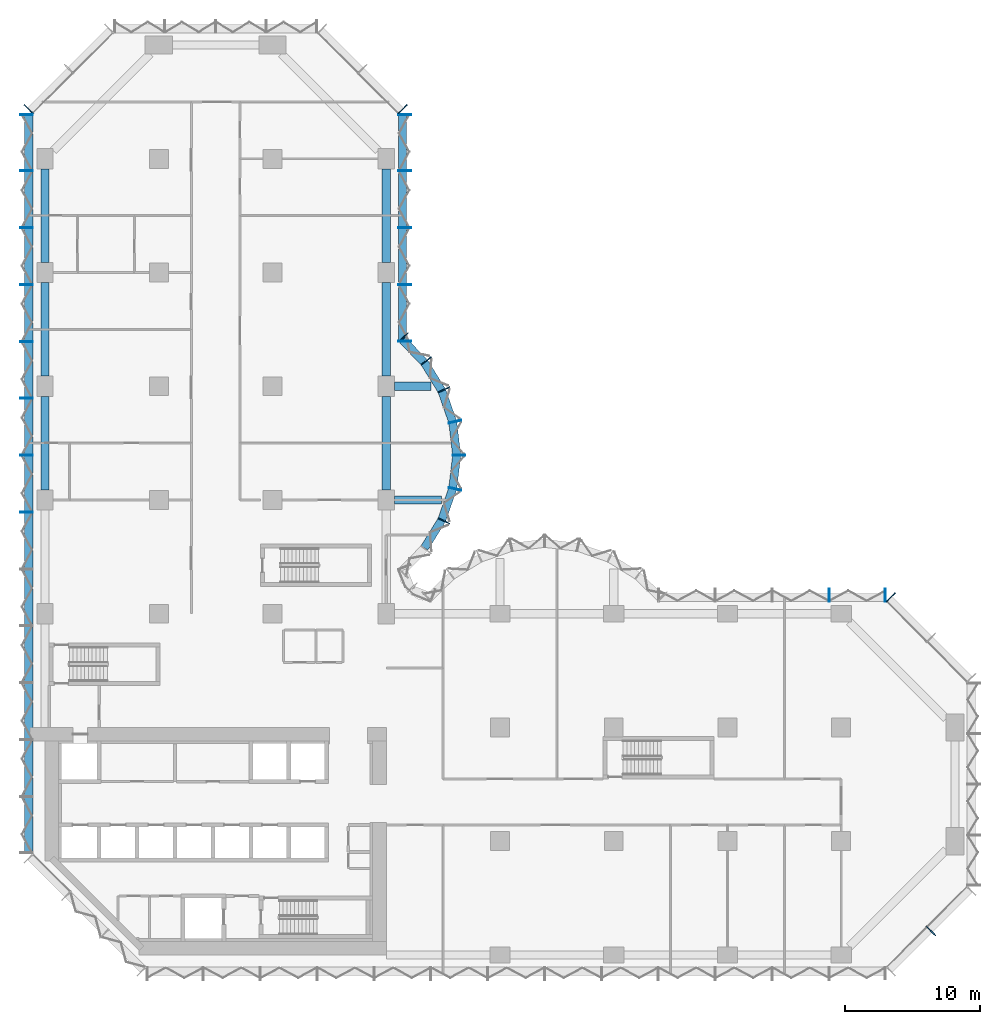
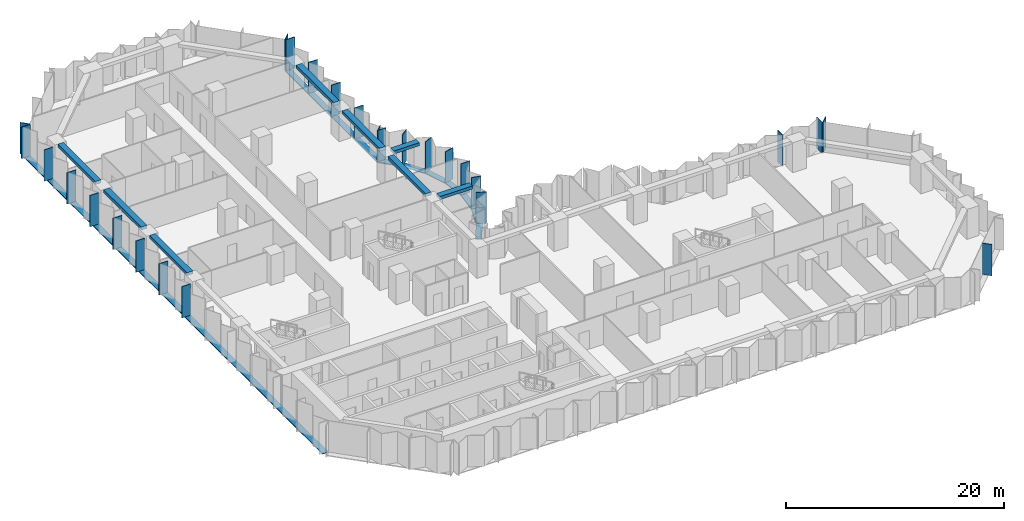
# One storey, part 3 of 15: 35 members, 8 beams, 8 elements without a shape of their own.
"""IFC4 building model written with IfcOpenShell, lengths in metres."""

from ifc_helpers import new_model, si_unit, direction, frame, origin, origin_2d, place, context, subcontext, project, spatial, rectangle, extrude, material, material_profile, profile_set, type_object, element, aggregate, save


model = new_model("IFC4")

# Units and contexts
model_context = context("Model", 3, precision=1e-05, world=origin(), true_north=direction((0.0, 1.0)))
body_context = subcontext(model_context, "Body", "Model", "MODEL_VIEW")
ifc_project = project(units=[si_unit("LENGTHUNIT", "METRE"), si_unit("AREAUNIT", "SQUARE_METRE"), si_unit("VOLUMEUNIT", "CUBIC_METRE"), si_unit("PLANEANGLEUNIT", "RADIAN"), si_unit("MASSUNIT", "GRAM", prefix="KILO")], contexts=[model_context])

# Site, building, storey
site_placement = place(None, origin())
site = spatial("IfcSite", under=ifc_project, at=site_placement, CompositionType="ELEMENT")
building_placement = place(site_placement, origin())
building = spatial("IfcBuilding", under=site, at=building_placement, Name="Brevane Broadcast Tower", CompositionType="ELEMENT")
storey_placement = place(building_placement, frame((0.0, 0.0, 79.699951171875)))
storey = spatial("IfcBuildingStorey", under=building, at=storey_placement, Name="L18", CompositionType="ELEMENT", Elevation=79.699951171875)

# Curtain wall, member
ifc_material_1 = material(Name="Aluminium 6063-T6 bronze anodised", Category="aluminium")
curtain_wall_type = type_object("IfcCurtainWallType", Name="CW-1 curtain wall", PredefinedType="NOTDEFINED", material=ifc_material_1)
curtain_wall_1_placement = place(storey_placement, origin())
curtain_wall_1 = element("IfcCurtainWall", 1, at=curtain_wall_1_placement, inside=storey, type_object=curtain_wall_type, Name="CW-1 typical tilted unit L18 south-east chamfer", PredefinedType="NOTDEFINED")
ifc_material_profile_1 = material_profile(ifc_material_1, rectangle(XDim=0.949951171875, YDim=0.070068359375, at=origin_2d()), Name="RECT 70x950")
ifc_profile_set_1 = profile_set([ifc_material_profile_1], Name="Aluminium 6063-T6 bronze anodised")
member_type_1 = type_object("IfcMemberType", Name="CW-1 mullion 70x950", PredefinedType="MULLION", material=ifc_profile_set_1)
member_1_placement = place(storey_placement, frame((65.435791015625, 1.76416015625, -0.14990234375), z_axis=(0.0, 0.0, 1.0), x_axis=(-0.707106781187, 0.707106781187, 0.0)))
member_1 = element("IfcMember", 2, at=member_1_placement, type_object=member_type_1, Name="CW-1 mullion", PredefinedType="MULLION", context=body_context, shape_type="SweptSolid", body=[
    extrude(rectangle(XDim=0.949951171875, YDim=0.070068359375, at=origin_2d()), origin(), (0.0, 0.0, 1.0), 3.5),
])
aggregate(curtain_wall_1, [member_1])

curtain_wall_2_placement = place(storey_placement, origin())
curtain_wall_2 = element("IfcCurtainWall", 3, at=curtain_wall_2_placement, inside=storey, type_object=curtain_wall_type, Name="CW-1 typical tilted unit L18 north-east chamfer", PredefinedType="NOTDEFINED")
member_2_placement = place(storey_placement, frame((62.460693359375, 26.4111328125, -0.14990234375), z_axis=(0.0, 0.0, 1.0), x_axis=(-0.707106781187, -0.707106781187, 0.0)))
member_2 = element("IfcMember", 4, at=member_2_placement, type_object=member_type_1, Name="CW-1 mullion", PredefinedType="MULLION", context=body_context, shape_type="SweptSolid", body=[
    extrude(rectangle(XDim=0.949951171875, YDim=0.070068359375, at=origin_2d()), origin(), (0.0, 0.0, 1.0), 3.5),
])
aggregate(curtain_wall_2, [member_2])

# Curtain wall, members
curtain_wall_3_placement = place(storey_placement, origin())
curtain_wall_3 = element("IfcCurtainWall", 5, at=curtain_wall_3_placement, inside=storey, type_object=curtain_wall_type, Name="CW-1 typical tilted unit L18 east arm north face", PredefinedType="NOTDEFINED")
member_3_placement = place(storey_placement, frame((62.06494140625, 26.574951171875, -0.14990234375), z_axis=(0.0, 0.0, 1.0), x_axis=(0.0, -1.0, 0.0)))
member_3 = element("IfcMember", 6, at=member_3_placement, type_object=member_type_1, Name="CW-1 mullion", PredefinedType="MULLION", context=body_context, shape_type="SweptSolid", body=[
    extrude(rectangle(XDim=0.949951171875, YDim=0.070068359375, at=origin_2d()), origin(), (0.0, 0.0, 1.0), 3.5),
])
member_4_placement = place(storey_placement, frame((57.89990234375, 26.574951171875, -0.14990234375), z_axis=(0.0, 0.0, 1.0), x_axis=(0.0, -1.0, 0.0)))
member_4 = element("IfcMember", 7, at=member_4_placement, type_object=member_type_1, Name="CW-1 mullion", PredefinedType="MULLION", context=body_context, shape_type="SweptSolid", body=[
    extrude(rectangle(XDim=0.949951171875, YDim=0.070068359375, at=origin_2d()), origin(), (0.0, 0.0, 1.0), 3.5),
])
aggregate(curtain_wall_3, [member_3, member_4])

curtain_wall_4_placement = place(storey_placement, origin())
curtain_wall_4 = element("IfcCurtainWall", 8, at=curtain_wall_4_placement, inside=storey, type_object=curtain_wall_type, Name="CW-1 typical tilted unit L18 north bow", PredefinedType="NOTDEFINED")
member_5_placement = place(storey_placement, frame((29.4580078125, 32.05322265625, -0.14990234375), z_axis=(0.0, 0.0, 1.0), x_axis=(-0.902860508933, 0.429933601163, 0.0)))
member_5 = element("IfcMember", 9, at=member_5_placement, type_object=member_type_1, Name="CW-1 mullion", PredefinedType="MULLION", context=body_context, shape_type="SweptSolid", body=[
    extrude(rectangle(XDim=0.949951171875, YDim=0.070068359375, at=origin_2d()), origin(), (0.0, 0.0, 1.0), 3.5),
])
member_6_placement = place(storey_placement, frame((30.28076171875, 34.411865234375, -0.14990234375), z_axis=(0.0, 0.0, 1.0), x_axis=(-0.974403430594, 0.224806482215, 0.0)))
member_6 = element("IfcMember", 10, at=member_6_placement, type_object=member_type_1, Name="CW-1 mullion", PredefinedType="MULLION", context=body_context, shape_type="SweptSolid", body=[
    extrude(rectangle(XDim=0.949951171875, YDim=0.070068359375, at=origin_2d()), origin(), (0.0, 0.0, 1.0), 3.5),
])
member_7_placement = place(storey_placement, frame((30.574951171875, 36.89990234375, -0.14990234375), z_axis=(0.0, 0.0, 1.0), x_axis=(-1.0, 0.0, 0.0)))
member_7 = element("IfcMember", 11, at=member_7_placement, type_object=member_type_1, Name="CW-1 mullion", PredefinedType="MULLION", context=body_context, shape_type="SweptSolid", body=[
    extrude(rectangle(XDim=0.949951171875, YDim=0.070068359375, at=origin_2d()), origin(), (0.0, 0.0, 1.0), 3.5),
])
member_8_placement = place(storey_placement, frame((30.28076171875, 39.38818359375, -0.14990234375), z_axis=(0.0, 0.0, 1.0), x_axis=(-0.974403430594, -0.224806482215, 0.0)))
member_8 = element("IfcMember", 12, at=member_8_placement, type_object=member_type_1, Name="CW-1 mullion", PredefinedType="MULLION", context=body_context, shape_type="SweptSolid", body=[
    extrude(rectangle(XDim=0.949951171875, YDim=0.070068359375, at=origin_2d()), origin(), (0.0, 0.0, 1.0), 3.5),
])
member_9_placement = place(storey_placement, frame((29.4580078125, 41.746826171875, -0.14990234375), z_axis=(0.0, 0.0, 1.0), x_axis=(-0.902860508933, -0.429933601163, 0.0)))
member_9 = element("IfcMember", 13, at=member_9_placement, type_object=member_type_1, Name="CW-1 mullion", PredefinedType="MULLION", context=body_context, shape_type="SweptSolid", body=[
    extrude(rectangle(XDim=0.949951171875, YDim=0.070068359375, at=origin_2d()), origin(), (0.0, 0.0, 1.0), 3.5),
])
member_10_placement = place(storey_placement, frame((28.1455078125, 43.8720703125, -0.14990234375), z_axis=(0.0, 0.0, 1.0), x_axis=(-0.788706642853, -0.614769738617, 0.0)))
member_10 = element("IfcMember", 14, at=member_10_placement, type_object=member_type_1, Name="CW-1 mullion", PredefinedType="MULLION", context=body_context, shape_type="SweptSolid", body=[
    extrude(rectangle(XDim=0.949951171875, YDim=0.070068359375, at=origin_2d()), origin(), (0.0, 0.0, 1.0), 3.5),
])
member_11_placement = place(storey_placement, frame((26.465087890625, 45.60595703125, -0.14990234375), z_axis=(0.0, 0.0, 1.0), x_axis=(-0.717253872699, -0.696811941702, 0.0)))
member_11 = element("IfcMember", 15, at=member_11_placement, type_object=member_type_1, Name="CW-1 mullion", PredefinedType="MULLION", context=body_context, shape_type="SweptSolid", body=[
    extrude(rectangle(XDim=0.949951171875, YDim=0.070068359375, at=origin_2d()), origin(), (0.0, 0.0, 1.0), 3.5),
])

curtain_wall_5_placement = place(storey_placement, origin())
curtain_wall_5 = element("IfcCurtainWall", 16, at=curtain_wall_5_placement, inside=storey, type_object=curtain_wall_type, Name="CW-1 typical tilted unit L18 north arm east face", PredefinedType="NOTDEFINED")
member_12_placement = place(storey_placement, frame((26.574951171875, 45.3349609375, -0.14990234375), z_axis=(0.0, 0.0, 1.0), x_axis=(-1.0, 0.0, 0.0)))
member_12 = element("IfcMember", 17, at=member_12_placement, type_object=member_type_1, Name="CW-1 mullion", PredefinedType="MULLION", context=body_context, shape_type="SweptSolid", body=[
    extrude(rectangle(XDim=0.949951171875, YDim=0.070068359375, at=origin_2d()), origin(), (0.0, 0.0, 1.0), 3.5),
])
member_13_placement = place(storey_placement, frame((26.574951171875, 49.5, -0.14990234375), z_axis=(0.0, 0.0, 1.0), x_axis=(-1.0, 0.0, 0.0)))
member_13 = element("IfcMember", 18, at=member_13_placement, type_object=member_type_1, Name="CW-1 mullion", PredefinedType="MULLION", context=body_context, shape_type="SweptSolid", body=[
    extrude(rectangle(XDim=0.949951171875, YDim=0.070068359375, at=origin_2d()), origin(), (0.0, 0.0, 1.0), 3.5),
])
member_14_placement = place(storey_placement, frame((26.574951171875, 53.699951171875, -0.14990234375), z_axis=(0.0, 0.0, 1.0), x_axis=(-1.0, 0.0, 0.0)))
member_14 = element("IfcMember", 19, at=member_14_placement, type_object=member_type_1, Name="CW-1 mullion", PredefinedType="MULLION", context=body_context, shape_type="SweptSolid", body=[
    extrude(rectangle(XDim=0.949951171875, YDim=0.070068359375, at=origin_2d()), origin(), (0.0, 0.0, 1.0), 3.5),
])
member_15_placement = place(storey_placement, frame((26.574951171875, 57.89990234375, -0.14990234375), z_axis=(0.0, 0.0, 1.0), x_axis=(-1.0, 0.0, 0.0)))
member_15 = element("IfcMember", 20, at=member_15_placement, type_object=member_type_1, Name="CW-1 mullion", PredefinedType="MULLION", context=body_context, shape_type="SweptSolid", body=[
    extrude(rectangle(XDim=0.949951171875, YDim=0.070068359375, at=origin_2d()), origin(), (0.0, 0.0, 1.0), 3.5),
])
member_16_placement = place(storey_placement, frame((26.574951171875, 62.06494140625, -0.14990234375), z_axis=(0.0, 0.0, 1.0), x_axis=(-1.0, 0.0, 0.0)))
member_16 = element("IfcMember", 21, at=member_16_placement, type_object=member_type_1, Name="CW-1 mullion", PredefinedType="MULLION", context=body_context, shape_type="SweptSolid", body=[
    extrude(rectangle(XDim=0.949951171875, YDim=0.070068359375, at=origin_2d()), origin(), (0.0, 0.0, 1.0), 3.5),
])

# Curtain wall, member
curtain_wall_6_placement = place(storey_placement, origin())
curtain_wall_6 = element("IfcCurtainWall", 22, at=curtain_wall_6_placement, inside=storey, type_object=curtain_wall_type, Name="CW-1 typical tilted unit L18 north arm north-east chamfer", PredefinedType="NOTDEFINED")
member_17_placement = place(storey_placement, frame((26.4111328125, 62.460693359375, -0.14990234375), z_axis=(0.0, 0.0, 1.0), x_axis=(-0.707106781187, -0.707106781187, 0.0)))
member_17 = element("IfcMember", 23, at=member_17_placement, type_object=member_type_1, Name="CW-1 mullion", PredefinedType="MULLION", context=body_context, shape_type="SweptSolid", body=[
    extrude(rectangle(XDim=0.949951171875, YDim=0.070068359375, at=origin_2d()), origin(), (0.0, 0.0, 1.0), 3.5),
])
aggregate(curtain_wall_6, [member_17])

curtain_wall_7_placement = place(storey_placement, origin())
curtain_wall_7 = element("IfcCurtainWall", 24, at=curtain_wall_7_placement, inside=storey, type_object=curtain_wall_type, Name="CW-1 typical tilted unit L18 north-west chamfer", PredefinedType="NOTDEFINED")
member_18_placement = place(storey_placement, frame((-1.211181640625, 62.460693359375, -0.14990234375), z_axis=(0.0, 0.0, 1.0), x_axis=(0.707106781187, -0.707106781187, 0.0)))
member_18 = element("IfcMember", 25, at=member_18_placement, type_object=member_type_1, Name="CW-1 mullion", PredefinedType="MULLION", context=body_context, shape_type="SweptSolid", body=[
    extrude(rectangle(XDim=0.949951171875, YDim=0.070068359375, at=origin_2d()), origin(), (0.0, 0.0, 1.0), 3.5),
])
aggregate(curtain_wall_7, [member_18])

# Curtain wall, members
curtain_wall_8_placement = place(storey_placement, origin())
curtain_wall_8 = element("IfcCurtainWall", 26, at=curtain_wall_8_placement, inside=storey, type_object=curtain_wall_type, Name="CW-1 typical tilted unit L18 west face", PredefinedType="NOTDEFINED")
member_19_placement = place(storey_placement, frame((-1.375, 62.06494140625, -0.14990234375), z_axis=(0.0, 0.0, 1.0), x_axis=(1.0, 0.0, 0.0)))
member_19 = element("IfcMember", 27, at=member_19_placement, type_object=member_type_1, Name="CW-1 mullion", PredefinedType="MULLION", context=body_context, shape_type="SweptSolid", body=[
    extrude(rectangle(XDim=0.949951171875, YDim=0.070068359375, at=origin_2d()), origin(), (0.0, 0.0, 1.0), 3.5),
])
member_20_placement = place(storey_placement, frame((-1.375, 57.89990234375, -0.14990234375), z_axis=(0.0, 0.0, 1.0), x_axis=(1.0, 0.0, 0.0)))
member_20 = element("IfcMember", 28, at=member_20_placement, type_object=member_type_1, Name="CW-1 mullion", PredefinedType="MULLION", context=body_context, shape_type="SweptSolid", body=[
    extrude(rectangle(XDim=0.949951171875, YDim=0.070068359375, at=origin_2d()), origin(), (0.0, 0.0, 1.0), 3.5),
])
member_21_placement = place(storey_placement, frame((-1.375, 53.699951171875, -0.14990234375), z_axis=(0.0, 0.0, 1.0), x_axis=(1.0, 0.0, 0.0)))
member_21 = element("IfcMember", 29, at=member_21_placement, type_object=member_type_1, Name="CW-1 mullion", PredefinedType="MULLION", context=body_context, shape_type="SweptSolid", body=[
    extrude(rectangle(XDim=0.949951171875, YDim=0.070068359375, at=origin_2d()), origin(), (0.0, 0.0, 1.0), 3.5),
])
member_22_placement = place(storey_placement, frame((-1.375, 49.5, -0.14990234375), z_axis=(0.0, 0.0, 1.0), x_axis=(1.0, 0.0, 0.0)))
member_22 = element("IfcMember", 30, at=member_22_placement, type_object=member_type_1, Name="CW-1 mullion", PredefinedType="MULLION", context=body_context, shape_type="SweptSolid", body=[
    extrude(rectangle(XDim=0.949951171875, YDim=0.070068359375, at=origin_2d()), origin(), (0.0, 0.0, 1.0), 3.5),
])
member_23_placement = place(storey_placement, frame((-1.375, 45.300048828125, -0.14990234375), z_axis=(0.0, 0.0, 1.0), x_axis=(1.0, 0.0, 0.0)))
member_23 = element("IfcMember", 31, at=member_23_placement, type_object=member_type_1, Name="CW-1 mullion", PredefinedType="MULLION", context=body_context, shape_type="SweptSolid", body=[
    extrude(rectangle(XDim=0.949951171875, YDim=0.070068359375, at=origin_2d()), origin(), (0.0, 0.0, 1.0), 3.5),
])
member_24_placement = place(storey_placement, frame((-1.375, 41.10009765625, -0.14990234375), z_axis=(0.0, 0.0, 1.0), x_axis=(1.0, 0.0, 0.0)))
member_24 = element("IfcMember", 32, at=member_24_placement, type_object=member_type_1, Name="CW-1 mullion", PredefinedType="MULLION", context=body_context, shape_type="SweptSolid", body=[
    extrude(rectangle(XDim=0.949951171875, YDim=0.070068359375, at=origin_2d()), origin(), (0.0, 0.0, 1.0), 3.5),
])
member_25_placement = place(storey_placement, frame((-1.375, 36.89990234375, -0.14990234375), z_axis=(0.0, 0.0, 1.0), x_axis=(1.0, 0.0, 0.0)))
member_25 = element("IfcMember", 33, at=member_25_placement, type_object=member_type_1, Name="CW-1 mullion", PredefinedType="MULLION", context=body_context, shape_type="SweptSolid", body=[
    extrude(rectangle(XDim=0.949951171875, YDim=0.070068359375, at=origin_2d()), origin(), (0.0, 0.0, 1.0), 3.5),
])
member_26_placement = place(storey_placement, frame((-1.375, 32.699951171875, -0.14990234375), z_axis=(0.0, 0.0, 1.0), x_axis=(1.0, 0.0, 0.0)))
member_26 = element("IfcMember", 34, at=member_26_placement, type_object=member_type_1, Name="CW-1 mullion", PredefinedType="MULLION", context=body_context, shape_type="SweptSolid", body=[
    extrude(rectangle(XDim=0.949951171875, YDim=0.070068359375, at=origin_2d()), origin(), (0.0, 0.0, 1.0), 3.5),
])

# Member
ifc_material_profile_2 = material_profile(ifc_material_1, rectangle(XDim=0.60009765625, YDim=0.10009765625, at=origin_2d()), Name="RECT 100x600")
ifc_profile_set_2 = profile_set([ifc_material_profile_2], Name="Aluminium 6063-T6 bronze anodised")
member_type_2 = type_object("IfcMemberType", Name="CW-1 transom 100x600", PredefinedType="USERDEFINED", material=ifc_profile_set_2)
member_27_placement = place(storey_placement, frame((28.023193359375, 30.0576171875, -0.199951171875), z_axis=(0.525427766759, 0.850838211365, 0.0), x_axis=(-0.850838211365, 0.525427766759, 0.0)))
member_27 = element("IfcMember", 35, at=member_27_placement, type_object=member_type_2, Name="CW-1 transom", ObjectType="TRANSOM", PredefinedType="USERDEFINED", context=body_context, shape_type="SweptSolid", body=[
    extrude(rectangle(XDim=0.60009765625, YDim=0.10009765625, at=origin_2d()), origin(), (0.0, 0.0, 1.0), 2.394775390625),
])

member_28_placement = place(storey_placement, frame((29.314208984375, 32.163818359375, -0.199951171875), z_axis=(0.329378497041, 0.944197969542, 0.0), x_axis=(-0.944197969542, 0.329378497041, 0.0)))
member_28 = element("IfcMember", 36, at=member_28_placement, type_object=member_type_2, Name="CW-1 transom", ObjectType="TRANSOM", PredefinedType="USERDEFINED", context=body_context, shape_type="SweptSolid", body=[
    extrude(rectangle(XDim=0.60009765625, YDim=0.10009765625, at=origin_2d()), origin(), (0.0, 0.0, 1.0), 2.394775390625),
])

member_29_placement = place(storey_placement, frame((30.117431640625, 34.499755859375, -0.199951171875), z_axis=(0.117603307202, 0.993060653805, 0.0), x_axis=(-0.993060653805, 0.117603307202, 0.0)))
member_29 = element("IfcMember", 37, at=member_29_placement, type_object=member_type_2, Name="CW-1 transom", ObjectType="TRANSOM", PredefinedType="USERDEFINED", context=body_context, shape_type="SweptSolid", body=[
    extrude(rectangle(XDim=0.60009765625, YDim=0.10009765625, at=origin_2d()), origin(), (0.0, 0.0, 1.0), 2.397705078125),
])

member_30_placement = place(storey_placement, frame((30.3994140625, 36.9189453125, -0.199951171875), z_axis=(-0.117591417, 0.993062061831, 0.0), x_axis=(-0.993062061831, -0.117591417, 0.0)))
member_30 = element("IfcMember", 38, at=member_30_placement, type_object=member_type_2, Name="CW-1 transom", ObjectType="TRANSOM", PredefinedType="USERDEFINED", context=body_context, shape_type="SweptSolid", body=[
    extrude(rectangle(XDim=0.60009765625, YDim=0.10009765625, at=origin_2d()), origin(), (0.0, 0.0, 1.0), 2.39794921875),
])

member_31_placement = place(storey_placement, frame((30.10302734375, 39.375, -0.199951171875), z_axis=(-0.329378497041, 0.944197969542, 0.0), x_axis=(-0.944197969542, -0.329378497041, 0.0)))
member_31 = element("IfcMember", 39, at=member_31_placement, type_object=member_type_2, Name="CW-1 transom", ObjectType="TRANSOM", PredefinedType="USERDEFINED", context=body_context, shape_type="SweptSolid", body=[
    extrude(rectangle(XDim=0.60009765625, YDim=0.10009765625, at=origin_2d()), origin(), (0.0, 0.0, 1.0), 2.394775390625),
])

member_32_placement = place(storey_placement, frame((29.281494140625, 41.704833984375, -0.199951171875), z_axis=(-0.525473345162, 0.850810063131, 0.0), x_axis=(-0.850810063131, -0.525473345162, 0.0)))
member_32 = element("IfcMember", 40, at=member_32_placement, type_object=member_type_2, Name="CW-1 transom", ObjectType="TRANSOM", PredefinedType="USERDEFINED", context=body_context, shape_type="SweptSolid", body=[
    extrude(rectangle(XDim=0.60009765625, YDim=0.10009765625, at=origin_2d()), origin(), (0.0, 0.0, 1.0), 2.39453125),
])

member_33_placement = place(storey_placement, frame((27.974365234375, 43.800537109375, -0.199951171875), z_axis=(-0.696823999134, 0.71724215871, 0.0), x_axis=(-0.71724215871, -0.696823999134, 0.0)))
member_33 = element("IfcMember", 41, at=member_33_placement, type_object=member_type_2, Name="CW-1 transom", ObjectType="TRANSOM", PredefinedType="USERDEFINED", context=body_context, shape_type="SweptSolid", body=[
    extrude(rectangle(XDim=0.60009765625, YDim=0.10009765625, at=origin_2d()), origin(), (0.0, 0.0, 1.0), 2.247802734375),
])

aggregate(curtain_wall_4, [member_5, member_6, member_7, member_8, member_9, member_10, member_11, member_27, member_28, member_29, member_30, member_31, member_32, member_33])

member_34_placement = place(storey_placement, frame((26.39990234375, 45.300048828125, -0.199951171875), z_axis=(0.0, 1.0, 0.0), x_axis=(-1.0, 0.0, 0.0)))
member_34 = element("IfcMember", 42, at=member_34_placement, type_object=member_type_2, Name="CW-1 transom", ObjectType="TRANSOM", PredefinedType="USERDEFINED", context=body_context, shape_type="SweptSolid", body=[
    extrude(rectangle(XDim=0.60009765625, YDim=0.10009765625, at=origin_2d()), origin(), (0.0, 0.0, 1.0), 16.800048828125),
])

aggregate(curtain_wall_5, [member_12, member_13, member_14, member_15, member_16, member_34])

member_35_placement = place(storey_placement, frame((-1.199951171875, 62.10009765625, -0.199951171875), z_axis=(0.0, -1.0, 0.0), x_axis=(1.0, 0.0, 0.0)))
member_35 = element("IfcMember", 43, at=member_35_placement, type_object=member_type_2, Name="CW-1 transom", ObjectType="TRANSOM", PredefinedType="USERDEFINED", context=body_context, shape_type="SweptSolid", body=[
    extrude(rectangle(XDim=0.60009765625, YDim=0.10009765625, at=origin_2d()), origin(), (0.0, 0.0, 1.0), 54.60009765625),
])

aggregate(curtain_wall_8, [member_19, member_20, member_21, member_22, member_23, member_24, member_25, member_26, member_35])

# Beams
ifc_material_2 = material(Name="Concrete C40/50", Category="concrete")
ifc_material_profile_3 = material_profile(ifc_material_2, rectangle(XDim=0.60009765625, YDim=0.35009765625, at=origin_2d()), Name="RC 600x350")
ifc_profile_set_3 = profile_set([ifc_material_profile_3], Name="Concrete C40/50")
beam_type_1 = type_object("IfcBeamType", Name="RC BRACKET BEAM 600x350 C40/50", PredefinedType="BEAM", material=ifc_profile_set_3)
beam_1_placement = place(storey_placement, frame((25.800048828125, 33.60009765625, 3.175048828125), z_axis=(1.0, 0.0, 0.0), x_axis=(0.0, 1.0, 0.0)))
element("IfcBeam", 44, at=beam_1_placement, inside=storey, type_object=beam_type_1, Name="EB2 L18-1", PredefinedType="BEAM", context=body_context, shape_type="SweptSolid", body=[
    extrude(rectangle(XDim=0.60009765625, YDim=0.35009765625, at=origin_2d()), origin(), (0.0, 0.0, 1.0), 3.4619140625),
])
beam_2_placement = place(storey_placement, frame((25.800048828125, 42.0, 3.175048828125), z_axis=(1.0, 0.0, 0.0), x_axis=(0.0, 1.0, 0.0)))
element("IfcBeam", 45, at=beam_2_placement, inside=storey, type_object=beam_type_1, Name="EB2 L18-2", PredefinedType="BEAM", context=body_context, shape_type="SweptSolid", body=[
    extrude(rectangle(XDim=0.60009765625, YDim=0.35009765625, at=origin_2d()), origin(), (0.0, 0.0, 1.0), 2.71142578125),
])
ifc_material_profile_4 = material_profile(ifc_material_2, rectangle(XDim=0.60009765625, YDim=0.35009765625, at=origin_2d()), Name="RC 600x350")
ifc_profile_set_4 = profile_set([ifc_material_profile_4], Name="Concrete C40/50")
beam_type_2 = type_object("IfcBeamType", Name="RC SPANDREL BEAM 600x350 C40/50", PredefinedType="SPANDREL", material=ifc_profile_set_4)
for number, where, z_axis, x_axis, name in (
    (46, (25.199951171875, 34.35009765625, 3.175048828125), (0.0, 1.0, 0.0), (-1.0, 0.0, 0.0), "EB1 L18-13"),
    (47, (25.199951171875, 42.75, 3.175048828125), (0.0, 1.0, 0.0), (-1.0, 0.0, 0.0), "EB1 L18-14"),
):
    element("IfcBeam", number, at=place(storey_placement, frame(where, z_axis=z_axis, x_axis=x_axis)), inside=storey, type_object=beam_type_2, Name=name, PredefinedType="SPANDREL", context=body_context, shape_type="SweptSolid", body=[
        extrude(rectangle(XDim=0.60009765625, YDim=0.35009765625, at=origin_2d()), origin(), (0.0, 0.0, 1.0), 6.89990234375),
    ])
for number, where, z_axis, x_axis, name in (
    (48, (25.199951171875, 51.14990234375, 3.175048828125), (0.0, 1.0, 0.0), (-1.0, 0.0, 0.0), "EB1 L18-15"),
    (49, (0.0, 58.050048828125, 3.175048828125), (0.0, -1.0, 0.0), (1.0, 0.0, 0.0), "EB1 L18-19"),
):
    element("IfcBeam", number, at=place(storey_placement, frame(where, z_axis=z_axis, x_axis=x_axis)), inside=storey, type_object=beam_type_2, Name=name, PredefinedType="SPANDREL", context=body_context, shape_type="SweptSolid", body=[
        extrude(rectangle(XDim=0.60009765625, YDim=0.35009765625, at=origin_2d()), origin(), (0.0, 0.0, 1.0), 6.900146484375),
    ])
for number, where, z_axis, x_axis, name in (
    (50, (0.0, 49.64990234375, 3.175048828125), (0.0, -1.0, 0.0), (1.0, 0.0, 0.0), "EB1 L18-20"),
    (51, (0.0, 41.25, 3.175048828125), (0.0, -1.0, 0.0), (1.0, 0.0, 0.0), "EB1 L18-21"),
):
    element("IfcBeam", number, at=place(storey_placement, frame(where, z_axis=z_axis, x_axis=x_axis)), inside=storey, type_object=beam_type_2, Name=name, PredefinedType="SPANDREL", context=body_context, shape_type="SweptSolid", body=[
        extrude(rectangle(XDim=0.60009765625, YDim=0.35009765625, at=origin_2d()), origin(), (0.0, 0.0, 1.0), 6.89990234375),
    ])

save(model, "model.ifc")
